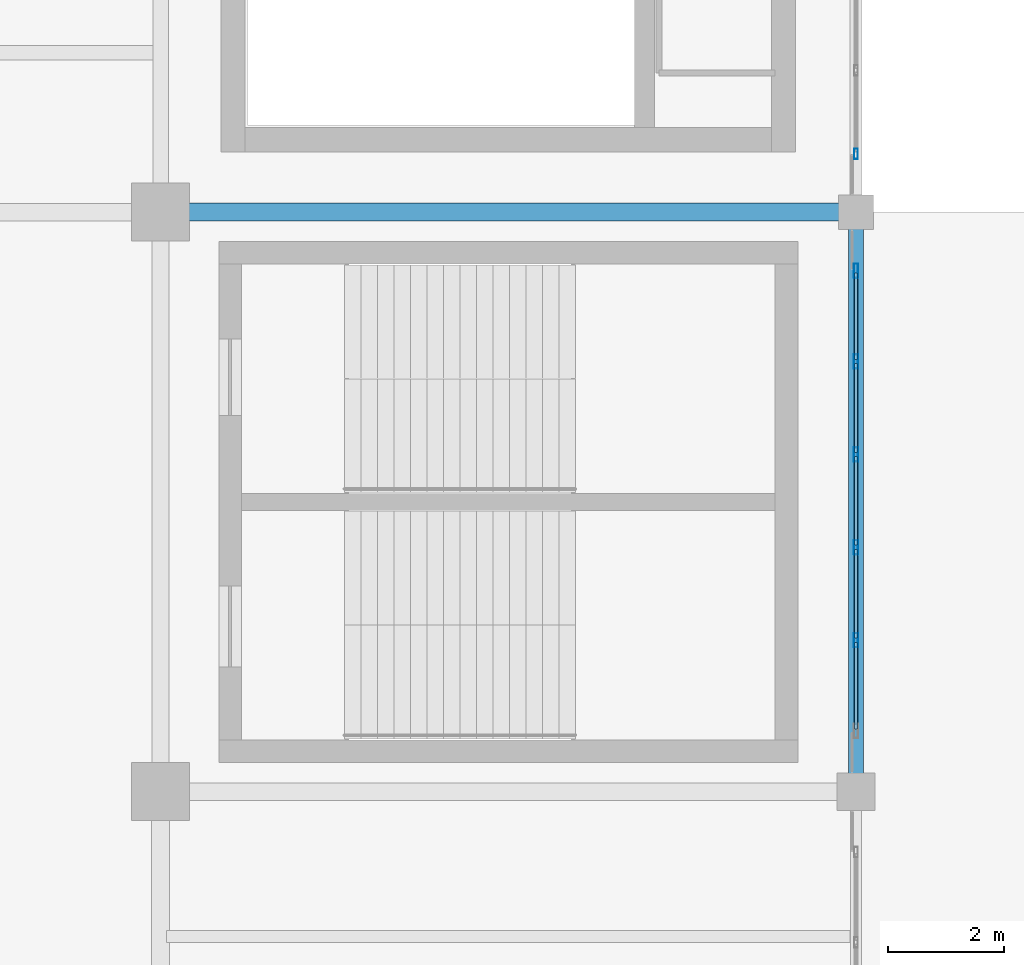
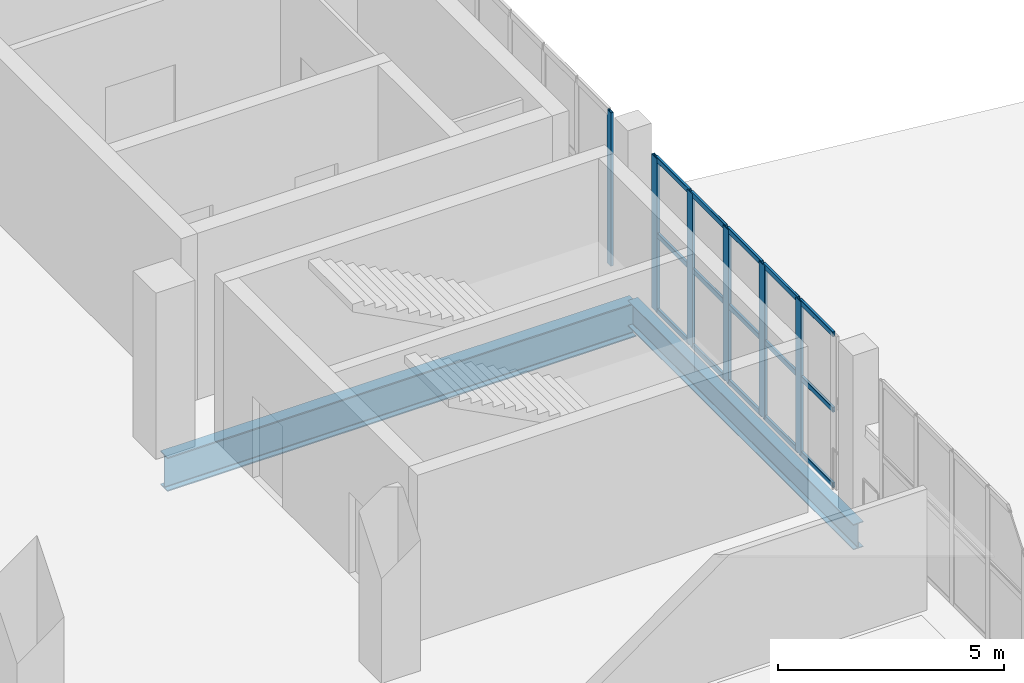
# One storey, part 58 of 108: 21 members, 2 beams, 2 elements without a shape of their own.
"""IFC4 building model written with IfcOpenShell, lengths in metres."""

import ifcopenshell
import ifcopenshell.guid

model = None  # the IFC model being written
_history = None  # IfcOwnerHistory: only IFC2X3 demands one
_inside = {}  # id of a spatial element -> (the spatial element, [elements in it])
_under = {}  # id of a project, library or spatial element -> (it, [spatial elements below it])
_declared = {}  # id of a project -> (the project, [libraries it declares])
_typed = {}  # id of a type object -> (the type object, [elements of that type])
_made_of = {}  # id of a material, layer set ... -> (it, [elements and type objects made of it])


def new_model(schema):
    """Start an empty IFC model of exactly this schema.

    Asked for "IFC4X3", IfcOpenShell would pick the latest addendum, in which some entities
    have other attributes; the version numbers below select the first issue.
    IFC2X3 requires an IfcOwnerHistory on every rooted entity: one is made here for all.
    """
    global model, _history
    if schema == "IFC4X3":
        model = ifcopenshell.file(schema_version=(4, 3, 0, 0))
    else:
        model = ifcopenshell.file(schema=schema)
    _inside.clear()
    _under.clear()
    _declared.clear()
    _typed.clear()
    _made_of.clear()
    _history = None
    if model.schema == "IFC2X3":
        org = make("IfcOrganization", Name="unknown")
        user = make(
            "IfcPersonAndOrganization",
            ThePerson=make("IfcPerson", FamilyName="unknown"),
            TheOrganization=org,
        )
        app = make(
            "IfcApplication",
            ApplicationDeveloper=org,
            Version="unknown",
            ApplicationFullName="unknown",
            ApplicationIdentifier="unknown",
        )
        _history = make(
            "IfcOwnerHistory",
            OwningUser=user,
            OwningApplication=app,
            ChangeAction="ADDED",
            CreationDate=0,
        )
    return model


def make(cls, **values):
    """One entity of the class cls with the attributes given. An attribute that is None is left unset."""
    return model.create_entity(
        cls, **{name: value for name, value in values.items() if value is not None}
    )


def rooted(cls, **values):
    """An entity with a GlobalId (a new one), such as an element, a storey or a relation."""
    return make(cls, GlobalId=ifcopenshell.guid.new(), OwnerHistory=_history, **values)


def si_unit(unit_type, name, prefix=None):
    """IfcSIUnit, for example si_unit("LENGTHUNIT", "METRE", prefix="MILLI")."""
    return make("IfcSIUnit", UnitType=unit_type, Prefix=prefix, Name=name)


def assignment(units):
    """IfcUnitAssignment: the units of a project."""
    return None if units is None else make("IfcUnitAssignment", Units=units)


def point(xyz):
    """IfcCartesianPoint."""
    return None if xyz is None else make("IfcCartesianPoint", Coordinates=xyz)


def direction(xyz):
    """IfcDirection."""
    return None if xyz is None else make("IfcDirection", DirectionRatios=xyz)


def frame(location, z_axis=None, x_axis=None):
    """IfcAxis2Placement3D, a coordinate frame: its origin and axes. An axis left out is left unset."""
    return make(
        "IfcAxis2Placement3D",
        Location=point(location),
        Axis=direction(z_axis),
        RefDirection=direction(x_axis),
    )


def frame_2d(location, x_axis=None):
    """IfcAxis2Placement2D, a coordinate frame in the plane: its origin and x axis."""
    return make(
        "IfcAxis2Placement2D", Location=point(location), RefDirection=direction(x_axis)
    )


def origin():
    """The frame at (0, 0, 0) with its axes left unset."""
    return frame((0.0, 0.0, 0.0))


def origin_2d():
    """The frame at (0, 0) in the plane with its x axis left unset."""
    return frame_2d((0.0, 0.0))


def place(relative_to, where):
    """IfcLocalPlacement: puts the frame where relative to a parent placement (None: the world)."""
    return make(
        "IfcLocalPlacement", PlacementRelTo=relative_to, RelativePlacement=where
    )


def context(
    kind, dimensions, precision=None, world=None, true_north=None, identifier=None
):
    """IfcGeometricRepresentationContext, for example the 3D "Model" context."""
    return make(
        "IfcGeometricRepresentationContext",
        ContextIdentifier=identifier,
        ContextType=kind,
        CoordinateSpaceDimension=dimensions,
        Precision=precision,
        WorldCoordinateSystem=world,
        TrueNorth=true_north,
    )


def subcontext(parent, identifier, kind, view, scale=None):
    """IfcGeometricRepresentationSubContext, for example "Body" below "Model"."""
    return make(
        "IfcGeometricRepresentationSubContext",
        ContextIdentifier=identifier,
        ContextType=kind,
        ParentContext=parent,
        TargetScale=scale,
        TargetView=view,
    )


def project(units=None, contexts=None):
    """IfcProject with its units and contexts."""
    return rooted(
        "IfcProject",
        Name="project",
        RepresentationContexts=contexts,
        UnitsInContext=assignment(units),
    )


def spatial(cls, under=None, at=None, **own):
    """A site, building, storey or space (cls), placed at a placement, below another one or the project."""
    s = rooted(cls, ObjectPlacement=at, **own)
    if under is not None:
        _under.setdefault(under.id(), (under, []))[1].append(s)
    return s


def profile(cls, at=None, kind="AREA", **sizes):
    """A parametric profile (cls). Its sizes go by their IFC names, for example OverallWidth=200.0."""
    return make(cls, ProfileType=kind, Position=at, **sizes)


def hollow_rectangle(**sizes):
    """IfcRectangleHollowProfileDef."""
    return profile("IfcRectangleHollowProfileDef", **sizes)


def i_section(**sizes):
    """IfcIShapeProfileDef."""
    return profile("IfcIShapeProfileDef", **sizes)


def extrude(swept, where, along, depth):
    """IfcExtrudedAreaSolid: the profile swept, set in the frame where, extruded along a direction by depth."""
    return make(
        "IfcExtrudedAreaSolid",
        SweptArea=swept,
        Position=where,
        ExtrudedDirection=direction(along),
        Depth=depth,
    )


def shape(context_of_items, identifier, shape_type, items):
    """IfcShapeRepresentation: the items that make up one representation, for example the "Body"."""
    return make(
        "IfcShapeRepresentation",
        ContextOfItems=context_of_items,
        RepresentationIdentifier=identifier,
        RepresentationType=shape_type,
        Items=items,
    )


def material(Name=None, Category=None):
    """IfcMaterial."""
    return make("IfcMaterial", Name=Name, Category=Category)


def layer(
    of_material, thickness, ventilated=None, Name=None, Category=None, Priority=None
):
    """IfcMaterialLayer: one layer of a wall or slab, of a material (None: an air gap)."""
    return make(
        "IfcMaterialLayer",
        Material=of_material,
        LayerThickness=thickness,
        IsVentilated=ventilated,
        Name=Name,
        Category=Category,
        Priority=Priority,
    )


def layer_set(layers, Name=None):
    """IfcMaterialLayerSet."""
    return make("IfcMaterialLayerSet", MaterialLayers=layers, LayerSetName=Name)


def material_profile(
    of_material, cross_section, Name=None, Category=None, Priority=None
):
    """IfcMaterialProfile: a cross section and its material."""
    return make(
        "IfcMaterialProfile",
        Name=Name,
        Material=of_material,
        Profile=cross_section,
        Priority=Priority,
        Category=Category,
    )


def profile_set(profiles, Name=None, composite=None):
    """IfcMaterialProfileSet."""
    return make(
        "IfcMaterialProfileSet",
        Name=Name,
        MaterialProfiles=profiles,
        CompositeProfile=composite,
    )


def made_of(thing, what):
    """Note that an element or type object is made of a material, layer set ...; save() writes the relation."""
    if what is not None:
        _made_of.setdefault(what.id(), (what, []))[1].append(thing)
    return thing


def type_object(cls, material=None, **own):
    """A type object (cls), such as IfcWallType, which elements share."""
    return made_of(rooted(cls, **own), material)


def element(
    cls,
    number,
    at=None,
    inside=None,
    cuts=None,
    type_object=None,
    material=None,
    context=None,
    identifier="Body",
    shape_type=None,
    held_by="IfcProductDefinitionShape",
    body=None,
    shapes=None,
    **own,
):
    """One element of the class cls, such as IfcWall. Its Tag is "e" and its number.

    at: its placement. inside: the storey or other place that contains it. cuts: it is an
    opening in that element (IfcRelVoidsElement). A single representation is given by context,
    identifier, shape_type and body (its items); several are given by shapes. held_by: the class
    of the entity that holds the representations. save() writes the other relations.
    """
    e = rooted(cls, Tag="e%d" % number, ObjectPlacement=at, **own)
    if body is not None:
        shapes = [shape(context, identifier, shape_type, body)]
    if shapes is not None:
        e.Representation = make(held_by, Representations=shapes)
    if inside is not None:
        _inside.setdefault(inside.id(), (inside, []))[1].append(e)
    if cuts is not None:
        rooted(
            "IfcRelVoidsElement", RelatingBuildingElement=cuts, RelatedOpeningElement=e
        )
    if type_object is not None:
        _typed.setdefault(type_object.id(), (type_object, []))[1].append(e)
    return made_of(e, material)


def aggregate(whole, parts):
    """IfcRelAggregates: a whole, such as a stair, and the parts it consists of."""
    return rooted("IfcRelAggregates", RelatingObject=whole, RelatedObjects=parts)


def save(model, path):
    """Write the relations noted so far, then the file.

    IfcRelAggregates (storeys below a building ...), IfcRelContainedInSpatialStructure (elements
    in a storey), IfcRelDefinesByType, IfcRelAssociatesMaterial and IfcRelDeclares: one each for
    every whole, place, type object, material and project.
    """
    for whole, parts in _under.values():
        aggregate(whole, parts)
    for where, things in _inside.values():
        rooted(
            "IfcRelContainedInSpatialStructure",
            RelatedElements=things,
            RelatingStructure=where,
        )
    for kind, things in _typed.values():
        rooted("IfcRelDefinesByType", RelatedObjects=things, RelatingType=kind)
    for what, things in _made_of.values():
        rooted("IfcRelAssociatesMaterial", RelatedObjects=things, RelatingMaterial=what)
    for by, libraries in _declared.values():
        rooted("IfcRelDeclares", RelatingContext=by, RelatedDefinitions=libraries)
    model.write(path)


model = new_model("IFC4")

# Units and contexts
model_context = context("Model", 3, precision=1e-05, world=origin(), true_north=direction((0.0, 1.0)))
body_context = subcontext(model_context, "Body", "Model", "MODEL_VIEW")
ifc_project = project(units=[si_unit("LENGTHUNIT", "METRE"), si_unit("AREAUNIT", "SQUARE_METRE"), si_unit("VOLUMEUNIT", "CUBIC_METRE"), si_unit("PLANEANGLEUNIT", "RADIAN"), si_unit("MASSUNIT", "GRAM", prefix="KILO")], contexts=[model_context])

# Site, building, storey
site_placement = place(None, origin())
site = spatial("IfcSite", under=ifc_project, at=site_placement, CompositionType="ELEMENT")
building_placement = place(site_placement, origin())
building = spatial("IfcBuilding", under=site, at=building_placement, Name="Brinegate Civic Arena", CompositionType="ELEMENT")
storey_placement = place(building_placement, frame((0.0, 0.0, 10.199951171875)))
storey = spatial("IfcBuildingStorey", under=building, at=storey_placement, Name="L02", CompositionType="ELEMENT", Elevation=10.199951171875)

# Curtain wall, member
ifc_material_1 = material(Name="Marine grade aluminium", Category="aluminium")
ifc_layer = layer(ifc_material_1, 0.199951171875, Name="Marine grade aluminium")
ifc_layer_set = layer_set([ifc_layer], Name="Marine grade aluminium")
curtain_wall_type = type_object("IfcCurtainWallType", Name="CW-BOWL-GLAZED-01", PredefinedType="USERDEFINED", material=ifc_layer_set)
curtain_wall_1_placement = place(storey_placement, origin())
curtain_wall_1 = element("IfcCurtainWall", 1, at=curtain_wall_1_placement, inside=storey, type_object=curtain_wall_type, Name="Curtain Wall CWA-088", ObjectType="GLAZED CURTAIN WALL", PredefinedType="USERDEFINED")
ifc_material_profile_1 = material_profile(ifc_material_1, hollow_rectangle(XDim=0.06494140625, YDim=0.179931640625, WallThickness=0.0048828125, InnerFilletRadius=0.00390625, OuterFilletRadius=0.008056640625, at=origin_2d()), Name="MUL65X180")
ifc_profile_set_1 = profile_set([ifc_material_profile_1], Name="Marine grade aluminium")
member_type_1 = type_object("IfcMemberType", Name="CW-MULLION-65X180", PredefinedType="MULLION", material=ifc_profile_set_1)
member_1_placement = place(storey_placement, frame((168.0, 83.006591796875, 0.0), z_axis=(0.0, 0.0, 1.0), x_axis=(-1.0, 0.0, 0.0)))
member_1 = element("IfcMember", 2, at=member_1_placement, type_object=member_type_1, Name="CWA-088 mullion 1", PredefinedType="MULLION", context=body_context, shape_type="SweptSolid", body=[
    extrude(hollow_rectangle(XDim=0.06494140625, YDim=0.179931640625, WallThickness=0.0048828125, InnerFilletRadius=0.00390625, OuterFilletRadius=0.008056640625, at=origin_2d()), origin(), (0.0, 0.0, 1.0), 4.150146484375),
])
aggregate(curtain_wall_1, [member_1])

# Curtain wall, members
curtain_wall_2_placement = place(storey_placement, origin())
curtain_wall_2 = element("IfcCurtainWall", 3, at=curtain_wall_2_placement, inside=storey, type_object=curtain_wall_type, Name="Curtain Wall CWA-086", ObjectType="GLAZED CURTAIN WALL", PredefinedType="USERDEFINED")
ifc_material_profile_2 = material_profile(ifc_material_1, hollow_rectangle(XDim=0.074951171875, YDim=0.25, WallThickness=0.006103515625, InnerFilletRadius=0.00390625, OuterFilletRadius=0.008056640625, at=origin_2d()), Name="MUL75X250")
ifc_profile_set_2 = profile_set([ifc_material_profile_2], Name="Marine grade aluminium")
member_type_2 = type_object("IfcMemberType", Name="CW-MULLION-75X250", PredefinedType="MULLION", material=ifc_profile_set_2)
member_2_placement = place(storey_placement, frame((168.0, 74.61328125, 0.0), z_axis=(0.0, 0.0, 1.0), x_axis=(-1.0, 0.0, 0.0)))
member_2 = element("IfcMember", 4, at=member_2_placement, type_object=member_type_2, Name="CWA-086 mullion 2", PredefinedType="MULLION", context=body_context, shape_type="SweptSolid", body=[
    extrude(hollow_rectangle(XDim=0.074951171875, YDim=0.25, WallThickness=0.006103515625, InnerFilletRadius=0.00390625, OuterFilletRadius=0.008056640625, at=origin_2d()), origin(), (0.0, 0.0, 1.0), 4.150146484375),
])
member_3_placement = place(storey_placement, frame((168.0, 76.21630859375, 0.0), z_axis=(0.0, 0.0, 1.0), x_axis=(-1.0, 0.0, 0.0)))
member_3 = element("IfcMember", 5, at=member_3_placement, type_object=member_type_2, Name="CWA-086 mullion 3", PredefinedType="MULLION", context=body_context, shape_type="SweptSolid", body=[
    extrude(hollow_rectangle(XDim=0.074951171875, YDim=0.25, WallThickness=0.006103515625, InnerFilletRadius=0.00390625, OuterFilletRadius=0.008056640625, at=origin_2d()), origin(), (0.0, 0.0, 1.0), 4.150146484375),
])
member_4_placement = place(storey_placement, frame((168.0, 77.819580078125, 0.0), z_axis=(0.0, 0.0, 1.0), x_axis=(-1.0, 0.0, 0.0)))
member_4 = element("IfcMember", 6, at=member_4_placement, type_object=member_type_2, Name="CWA-086 mullion 4", PredefinedType="MULLION", context=body_context, shape_type="SweptSolid", body=[
    extrude(hollow_rectangle(XDim=0.074951171875, YDim=0.25, WallThickness=0.006103515625, InnerFilletRadius=0.00390625, OuterFilletRadius=0.008056640625, at=origin_2d()), origin(), (0.0, 0.0, 1.0), 4.150146484375),
])
member_5_placement = place(storey_placement, frame((168.0, 79.4228515625, 0.0), z_axis=(0.0, 0.0, 1.0), x_axis=(-1.0, 0.0, 0.0)))
member_5 = element("IfcMember", 7, at=member_5_placement, type_object=member_type_2, Name="CWA-086 mullion 5", PredefinedType="MULLION", context=body_context, shape_type="SweptSolid", body=[
    extrude(hollow_rectangle(XDim=0.074951171875, YDim=0.25, WallThickness=0.006103515625, InnerFilletRadius=0.00390625, OuterFilletRadius=0.008056640625, at=origin_2d()), origin(), (0.0, 0.0, 1.0), 4.150146484375),
])
member_6_placement = place(storey_placement, frame((168.0, 80.988525390625, 0.0), z_axis=(0.0, 0.0, 1.0), x_axis=(-1.0, 0.0, 0.0)))
member_6 = element("IfcMember", 8, at=member_6_placement, type_object=member_type_2, Name="CWA-086 mullion 6", PredefinedType="MULLION", context=body_context, shape_type="SweptSolid", body=[
    extrude(hollow_rectangle(XDim=0.074951171875, YDim=0.25, WallThickness=0.006103515625, InnerFilletRadius=0.00390625, OuterFilletRadius=0.008056640625, at=origin_2d()), origin(), (0.0, 0.0, 1.0), 4.150146484375),
])
ifc_material_profile_3 = material_profile(ifc_material_1, hollow_rectangle(XDim=0.06494140625, YDim=0.139892578125, WallThickness=0.0048828125, InnerFilletRadius=0.00390625, OuterFilletRadius=0.008056640625, at=origin_2d()), Name="TRN65X140")
ifc_profile_set_3 = profile_set([ifc_material_profile_3], Name="Marine grade aluminium")
member_type_3 = type_object("IfcMemberType", Name="CW-TRANSOM-65X140", PredefinedType="USERDEFINED", material=ifc_profile_set_3)
member_7_placement = place(storey_placement, frame((168.0, 73.0849609375, 0.032470703125), z_axis=(0.0, 1.0, 0.0), x_axis=(-1.0, 0.0, 0.0)))
member_7 = element("IfcMember", 9, at=member_7_placement, type_object=member_type_3, Name="CWA-086 transom 1.1", ObjectType="TRANSOM", PredefinedType="USERDEFINED", context=body_context, shape_type="SweptSolid", body=[
    extrude(hollow_rectangle(XDim=0.06494140625, YDim=0.139892578125, WallThickness=0.0048828125, InnerFilletRadius=0.00390625, OuterFilletRadius=0.008056640625, at=origin_2d()), origin(), (0.0, 0.0, 1.0), 1.49072265625),
])
member_8_placement = place(storey_placement, frame((168.0, 73.0849609375, 2.074951171875), z_axis=(0.0, 1.0, 0.0), x_axis=(-1.0, 0.0, 0.0)))
member_8 = element("IfcMember", 10, at=member_8_placement, type_object=member_type_3, Name="CWA-086 transom 1.2", ObjectType="TRANSOM", PredefinedType="USERDEFINED", context=body_context, shape_type="SweptSolid", body=[
    extrude(hollow_rectangle(XDim=0.06494140625, YDim=0.139892578125, WallThickness=0.0048828125, InnerFilletRadius=0.00390625, OuterFilletRadius=0.008056640625, at=origin_2d()), origin(), (0.0, 0.0, 1.0), 1.49072265625),
])
member_9_placement = place(storey_placement, frame((168.0, 73.0849609375, 4.117431640625), z_axis=(0.0, 1.0, 0.0), x_axis=(-1.0, 0.0, 0.0)))
member_9 = element("IfcMember", 11, at=member_9_placement, type_object=member_type_3, Name="CWA-086 transom 1.3", ObjectType="TRANSOM", PredefinedType="USERDEFINED", context=body_context, shape_type="SweptSolid", body=[
    extrude(hollow_rectangle(XDim=0.06494140625, YDim=0.139892578125, WallThickness=0.0048828125, InnerFilletRadius=0.00390625, OuterFilletRadius=0.008056640625, at=origin_2d()), origin(), (0.0, 0.0, 1.0), 1.49072265625),
])
member_10_placement = place(storey_placement, frame((168.0, 74.650634765625, 0.032470703125), z_axis=(0.0, 1.0, 0.0), x_axis=(-1.0, 0.0, 0.0)))
member_10 = element("IfcMember", 12, at=member_10_placement, type_object=member_type_3, Name="CWA-086 transom 2.1", ObjectType="TRANSOM", PredefinedType="USERDEFINED", context=body_context, shape_type="SweptSolid", body=[
    extrude(hollow_rectangle(XDim=0.06494140625, YDim=0.139892578125, WallThickness=0.0048828125, InnerFilletRadius=0.00390625, OuterFilletRadius=0.008056640625, at=origin_2d()), origin(), (0.0, 0.0, 1.0), 1.5283203125),
])
member_11_placement = place(storey_placement, frame((168.0, 74.650634765625, 2.074951171875), z_axis=(0.0, 1.0, 0.0), x_axis=(-1.0, 0.0, 0.0)))
member_11 = element("IfcMember", 13, at=member_11_placement, type_object=member_type_3, Name="CWA-086 transom 2.2", ObjectType="TRANSOM", PredefinedType="USERDEFINED", context=body_context, shape_type="SweptSolid", body=[
    extrude(hollow_rectangle(XDim=0.06494140625, YDim=0.139892578125, WallThickness=0.0048828125, InnerFilletRadius=0.00390625, OuterFilletRadius=0.008056640625, at=origin_2d()), origin(), (0.0, 0.0, 1.0), 1.5283203125),
])
member_12_placement = place(storey_placement, frame((168.0, 74.650634765625, 4.117431640625), z_axis=(0.0, 1.0, 0.0), x_axis=(-1.0, 0.0, 0.0)))
member_12 = element("IfcMember", 14, at=member_12_placement, type_object=member_type_3, Name="CWA-086 transom 2.3", ObjectType="TRANSOM", PredefinedType="USERDEFINED", context=body_context, shape_type="SweptSolid", body=[
    extrude(hollow_rectangle(XDim=0.06494140625, YDim=0.139892578125, WallThickness=0.0048828125, InnerFilletRadius=0.00390625, OuterFilletRadius=0.008056640625, at=origin_2d()), origin(), (0.0, 0.0, 1.0), 1.5283203125),
])
member_13_placement = place(storey_placement, frame((168.0, 76.25390625, 0.032470703125), z_axis=(0.0, 1.0, 0.0), x_axis=(-1.0, 0.0, 0.0)))
member_13 = element("IfcMember", 15, at=member_13_placement, type_object=member_type_3, Name="CWA-086 transom 3.1", ObjectType="TRANSOM", PredefinedType="USERDEFINED", context=body_context, shape_type="SweptSolid", body=[
    extrude(hollow_rectangle(XDim=0.06494140625, YDim=0.139892578125, WallThickness=0.0048828125, InnerFilletRadius=0.00390625, OuterFilletRadius=0.008056640625, at=origin_2d()), origin(), (0.0, 0.0, 1.0), 1.528076171875),
])
member_14_placement = place(storey_placement, frame((168.0, 76.25390625, 2.074951171875), z_axis=(0.0, 1.0, 0.0), x_axis=(-1.0, 0.0, 0.0)))
member_14 = element("IfcMember", 16, at=member_14_placement, type_object=member_type_3, Name="CWA-086 transom 3.2", ObjectType="TRANSOM", PredefinedType="USERDEFINED", context=body_context, shape_type="SweptSolid", body=[
    extrude(hollow_rectangle(XDim=0.06494140625, YDim=0.139892578125, WallThickness=0.0048828125, InnerFilletRadius=0.00390625, OuterFilletRadius=0.008056640625, at=origin_2d()), origin(), (0.0, 0.0, 1.0), 1.528076171875),
])
member_15_placement = place(storey_placement, frame((168.0, 76.25390625, 4.117431640625), z_axis=(0.0, 1.0, 0.0), x_axis=(-1.0, 0.0, 0.0)))
member_15 = element("IfcMember", 17, at=member_15_placement, type_object=member_type_3, Name="CWA-086 transom 3.3", ObjectType="TRANSOM", PredefinedType="USERDEFINED", context=body_context, shape_type="SweptSolid", body=[
    extrude(hollow_rectangle(XDim=0.06494140625, YDim=0.139892578125, WallThickness=0.0048828125, InnerFilletRadius=0.00390625, OuterFilletRadius=0.008056640625, at=origin_2d()), origin(), (0.0, 0.0, 1.0), 1.528076171875),
])
member_16_placement = place(storey_placement, frame((168.0, 77.857177734375, 0.032470703125), z_axis=(0.0, 1.0, 0.0), x_axis=(-1.0, 0.0, 0.0)))
member_16 = element("IfcMember", 18, at=member_16_placement, type_object=member_type_3, Name="CWA-086 transom 4.1", ObjectType="TRANSOM", PredefinedType="USERDEFINED", context=body_context, shape_type="SweptSolid", body=[
    extrude(hollow_rectangle(XDim=0.06494140625, YDim=0.139892578125, WallThickness=0.0048828125, InnerFilletRadius=0.00390625, OuterFilletRadius=0.008056640625, at=origin_2d()), origin(), (0.0, 0.0, 1.0), 1.528076171875),
])
member_17_placement = place(storey_placement, frame((168.0, 77.857177734375, 2.074951171875), z_axis=(0.0, 1.0, 0.0), x_axis=(-1.0, 0.0, 0.0)))
member_17 = element("IfcMember", 19, at=member_17_placement, type_object=member_type_3, Name="CWA-086 transom 4.2", ObjectType="TRANSOM", PredefinedType="USERDEFINED", context=body_context, shape_type="SweptSolid", body=[
    extrude(hollow_rectangle(XDim=0.06494140625, YDim=0.139892578125, WallThickness=0.0048828125, InnerFilletRadius=0.00390625, OuterFilletRadius=0.008056640625, at=origin_2d()), origin(), (0.0, 0.0, 1.0), 1.528076171875),
])
member_18_placement = place(storey_placement, frame((168.0, 77.857177734375, 4.117431640625), z_axis=(0.0, 1.0, 0.0), x_axis=(-1.0, 0.0, 0.0)))
member_18 = element("IfcMember", 20, at=member_18_placement, type_object=member_type_3, Name="CWA-086 transom 4.3", ObjectType="TRANSOM", PredefinedType="USERDEFINED", context=body_context, shape_type="SweptSolid", body=[
    extrude(hollow_rectangle(XDim=0.06494140625, YDim=0.139892578125, WallThickness=0.0048828125, InnerFilletRadius=0.00390625, OuterFilletRadius=0.008056640625, at=origin_2d()), origin(), (0.0, 0.0, 1.0), 1.528076171875),
])
member_19_placement = place(storey_placement, frame((168.0, 79.460205078125, 0.032470703125), z_axis=(0.0, 1.0, 0.0), x_axis=(-1.0, 0.0, 0.0)))
member_19 = element("IfcMember", 21, at=member_19_placement, type_object=member_type_3, Name="CWA-086 transom 5.1", ObjectType="TRANSOM", PredefinedType="USERDEFINED", context=body_context, shape_type="SweptSolid", body=[
    extrude(hollow_rectangle(XDim=0.06494140625, YDim=0.139892578125, WallThickness=0.0048828125, InnerFilletRadius=0.00390625, OuterFilletRadius=0.008056640625, at=origin_2d()), origin(), (0.0, 0.0, 1.0), 1.49072265625),
])
member_20_placement = place(storey_placement, frame((168.0, 79.460205078125, 2.074951171875), z_axis=(0.0, 1.0, 0.0), x_axis=(-1.0, 0.0, 0.0)))
member_20 = element("IfcMember", 22, at=member_20_placement, type_object=member_type_3, Name="CWA-086 transom 5.2", ObjectType="TRANSOM", PredefinedType="USERDEFINED", context=body_context, shape_type="SweptSolid", body=[
    extrude(hollow_rectangle(XDim=0.06494140625, YDim=0.139892578125, WallThickness=0.0048828125, InnerFilletRadius=0.00390625, OuterFilletRadius=0.008056640625, at=origin_2d()), origin(), (0.0, 0.0, 1.0), 1.49072265625),
])
member_21_placement = place(storey_placement, frame((168.0, 79.460205078125, 4.117431640625), z_axis=(0.0, 1.0, 0.0), x_axis=(-1.0, 0.0, 0.0)))
member_21 = element("IfcMember", 23, at=member_21_placement, type_object=member_type_3, Name="CWA-086 transom 5.3", ObjectType="TRANSOM", PredefinedType="USERDEFINED", context=body_context, shape_type="SweptSolid", body=[
    extrude(hollow_rectangle(XDim=0.06494140625, YDim=0.139892578125, WallThickness=0.0048828125, InnerFilletRadius=0.00390625, OuterFilletRadius=0.008056640625, at=origin_2d()), origin(), (0.0, 0.0, 1.0), 1.49072265625),
])
aggregate(curtain_wall_2, [member_2, member_3, member_4, member_5, member_6, member_7, member_8, member_9, member_10, member_11, member_12, member_13, member_14, member_15, member_16, member_17, member_18, member_19, member_20, member_21])

# Beams
ifc_material_2 = material(Name="Steel S355", Category="steel")
ifc_material_profile_4 = material_profile(ifc_material_2, i_section(OverallWidth=0.30810546875, OverallDepth=0.927001953125, WebThickness=0.01904296875, FlangeThickness=0.031982421875, FilletRadius=0.02392578125, at=origin_2d()), Name="W920X289")
ifc_profile_set_4 = profile_set([ifc_material_profile_4], Name="Steel S355")
beam_type_1 = type_object("IfcBeamType", Name="GIRDER-W920X289", PredefinedType="BEAM", material=ifc_profile_set_4)
beam_1_placement = place(storey_placement, frame((156.0, 82.0, -0.79296875), z_axis=(1.0, 0.0, 0.0), x_axis=(0.0, 1.0, 0.0)))
element("IfcBeam", 24, at=beam_1_placement, inside=storey, type_object=beam_type_1, Name="Floor Girder BM-L02-GX-13-08", PredefinedType="BEAM", context=body_context, shape_type="SweptSolid", body=[
    extrude(i_section(OverallWidth=0.30810546875, OverallDepth=0.927001953125, WebThickness=0.01904296875, FlangeThickness=0.031982421875, FilletRadius=0.02392578125, at=origin_2d()), origin(), (0.0, 0.0, 1.0), 12.0),
])
ifc_material_profile_5 = material_profile(ifc_material_2, i_section(OverallWidth=0.256103515625, OverallDepth=0.693115234375, WebThickness=0.014892578125, FlangeThickness=0.02392578125, FilletRadius=0.01806640625, at=origin_2d()), Name="W690X170")
ifc_profile_set_5 = profile_set([ifc_material_profile_5], Name="Steel S355")
beam_type_2 = type_object("IfcBeamType", Name="SPANDREL-W690X170", PredefinedType="SPANDREL", material=ifc_profile_set_5)
beam_2_placement = place(storey_placement, frame((168.0, 72.0, -0.676025390625), z_axis=(0.0, 1.0, 0.0), x_axis=(-1.0, 0.0, 0.0)))
element("IfcBeam", 25, at=beam_2_placement, inside=storey, type_object=beam_type_2, Name="Floor Girder BM-L02-GY-14-07", PredefinedType="SPANDREL", context=body_context, shape_type="SweptSolid", body=[
    extrude(i_section(OverallWidth=0.256103515625, OverallDepth=0.693115234375, WebThickness=0.014892578125, FlangeThickness=0.02392578125, FilletRadius=0.01806640625, at=origin_2d()), origin(), (0.0, 0.0, 1.0), 10.0),
])

save(model, "model.ifc")
